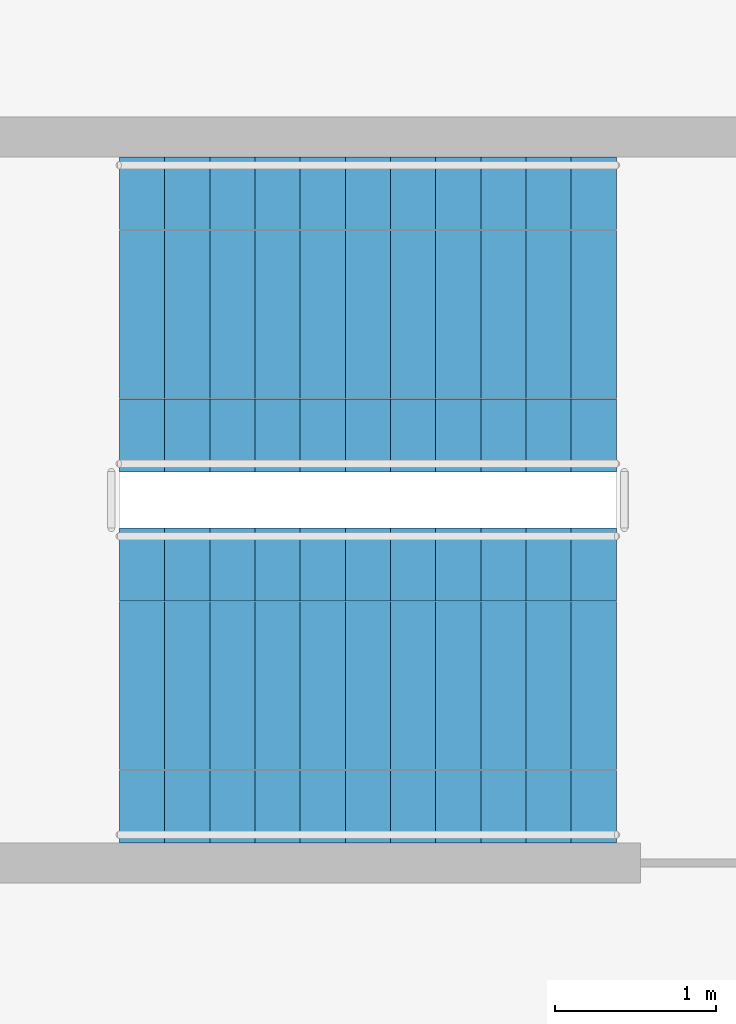
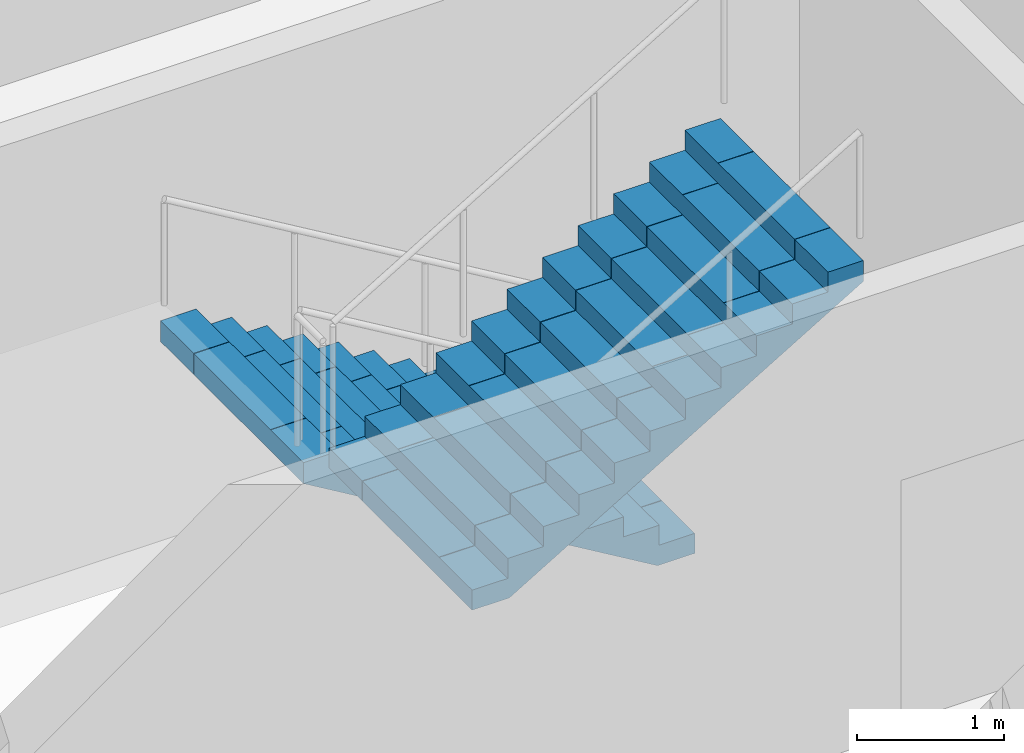
# One storey, part 12 of 13: 2 stair flights, 1 element without a shape of its own.
"""IFC4 building model written with IfcOpenShell, lengths in metres."""

from ifc_helpers import new_model, si_unit, direction, frame, origin, place, context, subcontext, project, spatial, polyline, outline, extrude, material, type_object, element, aggregate, save


model = new_model("IFC4")

# Units and contexts
model_context = context("Model", 3, precision=1e-05, world=origin(), true_north=direction((0.0, 1.0)))
body_context = subcontext(model_context, "Body", "Model", "MODEL_VIEW")
ifc_project = project(units=[si_unit("LENGTHUNIT", "METRE"), si_unit("AREAUNIT", "SQUARE_METRE"), si_unit("VOLUMEUNIT", "CUBIC_METRE"), si_unit("PLANEANGLEUNIT", "RADIAN"), si_unit("MASSUNIT", "GRAM", prefix="KILO")], contexts=[model_context])

# Site, building, storey
site_placement = place(None, origin())
site = spatial("IfcSite", under=ifc_project, at=site_placement, CompositionType="ELEMENT")
building_placement = place(site_placement, origin())
building = spatial("IfcBuilding", under=site, at=building_placement, Name="Corbelhall Arena Tower", CompositionType="ELEMENT")
storey_placement = place(building_placement, frame((0.0, 0.0, 278.0)))
storey = spatial("IfcBuildingStorey", under=building, at=storey_placement, Name="L60", CompositionType="ELEMENT", Elevation=278.0)

# Stair, stair flights
ifc_material = material(Name="Concrete C40/50", Category="concrete")
stair_type = type_object("IfcStairType", Name="IN-ST-TOWER", PredefinedType="HALF_TURN_STAIR", material=ifc_material)
stair_placement = place(storey_placement, origin())
stair = element("IfcStair", 1, at=stair_placement, inside=storey, type_object=stair_type, Name="L60 Exit stair ST3", PredefinedType="HALF_TURN_STAIR")
stair_flight_type = type_object("IfcStairFlightType", Name="IN-SFL-RC", PredefinedType="STRAIGHT", material=ifc_material)
stair_flight_1_placement = place(storey_placement, frame((11.425048828125, 15.699951171875, 0.0), z_axis=(0.0, 0.0, 1.0), x_axis=(-1.0, 0.0, 0.0)))
stair_flight_1 = element("IfcStairFlight", 2, at=stair_flight_1_placement, type_object=stair_flight_type, Name="ST3 flight 1", NumberOfRisers=12, NumberOfTreads=11, PredefinedType="STRAIGHT", RiserHeight=0.166666667, TreadLength=0.28, context=body_context, shape_type="SweptSolid", body=[
    extrude(outline(polyline([(0.0, 0.0), (0.0, 0.166748046875), (0.280029296875, 0.166748046875), (0.280029296875, 0.333251953125), (0.56005859375, 0.333251953125), (0.56005859375, 0.5), (0.840087890625, 0.5), (0.840087890625, 0.666748046875), (1.1201171875, 0.666748046875), (1.1201171875, 0.833251953125), (1.39990234375, 0.833251953125), (1.39990234375, 1.0), (1.679931640625, 1.0), (1.679931640625, 1.166748046875), (1.9599609375, 1.166748046875), (1.9599609375, 1.333251953125), (2.239990234375, 1.333251953125), (2.239990234375, 1.5), (2.52001953125, 1.5), (2.52001953125, 1.666748046875), (2.800048828125, 1.666748046875), (2.800048828125, 1.833251953125), (3.080078125, 1.833251953125), (3.080078125, 2.0), (3.080078125, 1.658935546875), (0.29296875, 0.0), (0.0, 0.0)])), frame((0.0, 0.97509765625, 0.0), z_axis=(0.0, -1.0, 0.0), x_axis=(1.0, 0.0, 0.0)), (0.0, 0.0, 1.0), 0.449951171875),
    extrude(outline(polyline([(0.0, 0.0), (0.0, 0.166748046875), (0.280029296875, 0.166748046875), (0.280029296875, 0.333251953125), (0.56005859375, 0.333251953125), (0.56005859375, 0.5), (0.840087890625, 0.5), (0.840087890625, 0.666748046875), (1.1201171875, 0.666748046875), (1.1201171875, 0.833251953125), (1.39990234375, 0.833251953125), (1.39990234375, 1.0), (1.679931640625, 1.0), (1.679931640625, 1.166748046875), (1.9599609375, 1.166748046875), (1.9599609375, 1.333251953125), (2.239990234375, 1.333251953125), (2.239990234375, 1.5), (2.52001953125, 1.5), (2.52001953125, 1.666748046875), (2.800048828125, 1.666748046875), (2.800048828125, 1.833251953125), (3.080078125, 1.833251953125), (3.080078125, 2.0), (3.080078125, 1.658935546875), (0.29296875, 0.0), (0.0, 0.0)])), frame((0.0, 0.52099609375, 0.0), z_axis=(0.0, -1.0, 0.0), x_axis=(1.0, 0.0, 0.0)), (0.0, 0.0, 1.0), 1.0419921875),
    extrude(outline(polyline([(0.0, 0.0), (0.0, 0.166748046875), (0.280029296875, 0.166748046875), (0.280029296875, 0.333251953125), (0.56005859375, 0.333251953125), (0.56005859375, 0.5), (0.840087890625, 0.5), (0.840087890625, 0.666748046875), (1.1201171875, 0.666748046875), (1.1201171875, 0.833251953125), (1.39990234375, 0.833251953125), (1.39990234375, 1.0), (1.679931640625, 1.0), (1.679931640625, 1.166748046875), (1.9599609375, 1.166748046875), (1.9599609375, 1.333251953125), (2.239990234375, 1.333251953125), (2.239990234375, 1.5), (2.52001953125, 1.5), (2.52001953125, 1.666748046875), (2.800048828125, 1.666748046875), (2.800048828125, 1.833251953125), (3.080078125, 1.833251953125), (3.080078125, 2.0), (3.080078125, 1.658935546875), (0.29296875, 0.0), (0.0, 0.0)])), frame((0.0, -0.52490234375, 0.0), z_axis=(0.0, -1.0, 0.0), x_axis=(1.0, 0.0, 0.0)), (0.0, 0.0, 1.0), 0.449951171875),
])
stair_flight_2_placement = place(storey_placement, frame((8.344970703125, 13.39990234375, 2.0), z_axis=(0.0, 0.0, 1.0), x_axis=(1.0, 0.0, 0.0)))
stair_flight_2 = element("IfcStairFlight", 3, at=stair_flight_2_placement, type_object=stair_flight_type, Name="ST3 flight 2", NumberOfRisers=12, NumberOfTreads=11, PredefinedType="STRAIGHT", RiserHeight=0.166666667, TreadLength=0.28, context=body_context, shape_type="SweptSolid", body=[
    extrude(outline(polyline([(0.0, 0.0), (0.0, 0.166748046875), (0.280029296875, 0.166748046875), (0.280029296875, 0.333251953125), (0.56005859375, 0.333251953125), (0.56005859375, 0.5), (0.840087890625, 0.5), (0.840087890625, 0.666748046875), (1.1201171875, 0.666748046875), (1.1201171875, 0.833251953125), (1.39990234375, 0.833251953125), (1.39990234375, 1.0), (1.679931640625, 1.0), (1.679931640625, 1.166748046875), (1.9599609375, 1.166748046875), (1.9599609375, 1.333251953125), (2.239990234375, 1.333251953125), (2.239990234375, 1.5), (2.52001953125, 1.5), (2.52001953125, 1.666748046875), (2.800048828125, 1.666748046875), (2.800048828125, 1.833251953125), (3.080078125, 1.833251953125), (3.080078125, 2.0), (3.080078125, 1.658935546875), (0.29296875, 0.0), (0.0, 0.0)])), frame((0.0, 0.97509765625, 0.0), z_axis=(0.0, -1.0, 0.0), x_axis=(1.0, 0.0, 0.0)), (0.0, 0.0, 1.0), 0.449951171875),
    extrude(outline(polyline([(0.0, 0.0), (0.0, 0.166748046875), (0.280029296875, 0.166748046875), (0.280029296875, 0.333251953125), (0.56005859375, 0.333251953125), (0.56005859375, 0.5), (0.840087890625, 0.5), (0.840087890625, 0.666748046875), (1.1201171875, 0.666748046875), (1.1201171875, 0.833251953125), (1.39990234375, 0.833251953125), (1.39990234375, 1.0), (1.679931640625, 1.0), (1.679931640625, 1.166748046875), (1.9599609375, 1.166748046875), (1.9599609375, 1.333251953125), (2.239990234375, 1.333251953125), (2.239990234375, 1.5), (2.52001953125, 1.5), (2.52001953125, 1.666748046875), (2.800048828125, 1.666748046875), (2.800048828125, 1.833251953125), (3.080078125, 1.833251953125), (3.080078125, 2.0), (3.080078125, 1.658935546875), (0.29296875, 0.0), (0.0, 0.0)])), frame((0.0, 0.52099609375, 0.0), z_axis=(0.0, -1.0, 0.0), x_axis=(1.0, 0.0, 0.0)), (0.0, 0.0, 1.0), 1.0419921875),
    extrude(outline(polyline([(0.0, 0.0), (0.0, 0.166748046875), (0.280029296875, 0.166748046875), (0.280029296875, 0.333251953125), (0.56005859375, 0.333251953125), (0.56005859375, 0.5), (0.840087890625, 0.5), (0.840087890625, 0.666748046875), (1.1201171875, 0.666748046875), (1.1201171875, 0.833251953125), (1.39990234375, 0.833251953125), (1.39990234375, 1.0), (1.679931640625, 1.0), (1.679931640625, 1.166748046875), (1.9599609375, 1.166748046875), (1.9599609375, 1.333251953125), (2.239990234375, 1.333251953125), (2.239990234375, 1.5), (2.52001953125, 1.5), (2.52001953125, 1.666748046875), (2.800048828125, 1.666748046875), (2.800048828125, 1.833251953125), (3.080078125, 1.833251953125), (3.080078125, 2.0), (3.080078125, 1.658935546875), (0.29296875, 0.0), (0.0, 0.0)])), frame((0.0, -0.52490234375, 0.0), z_axis=(0.0, -1.0, 0.0), x_axis=(1.0, 0.0, 0.0)), (0.0, 0.0, 1.0), 0.449951171875),
])
aggregate(stair, [stair_flight_1, stair_flight_2])

save(model, "model.ifc")
